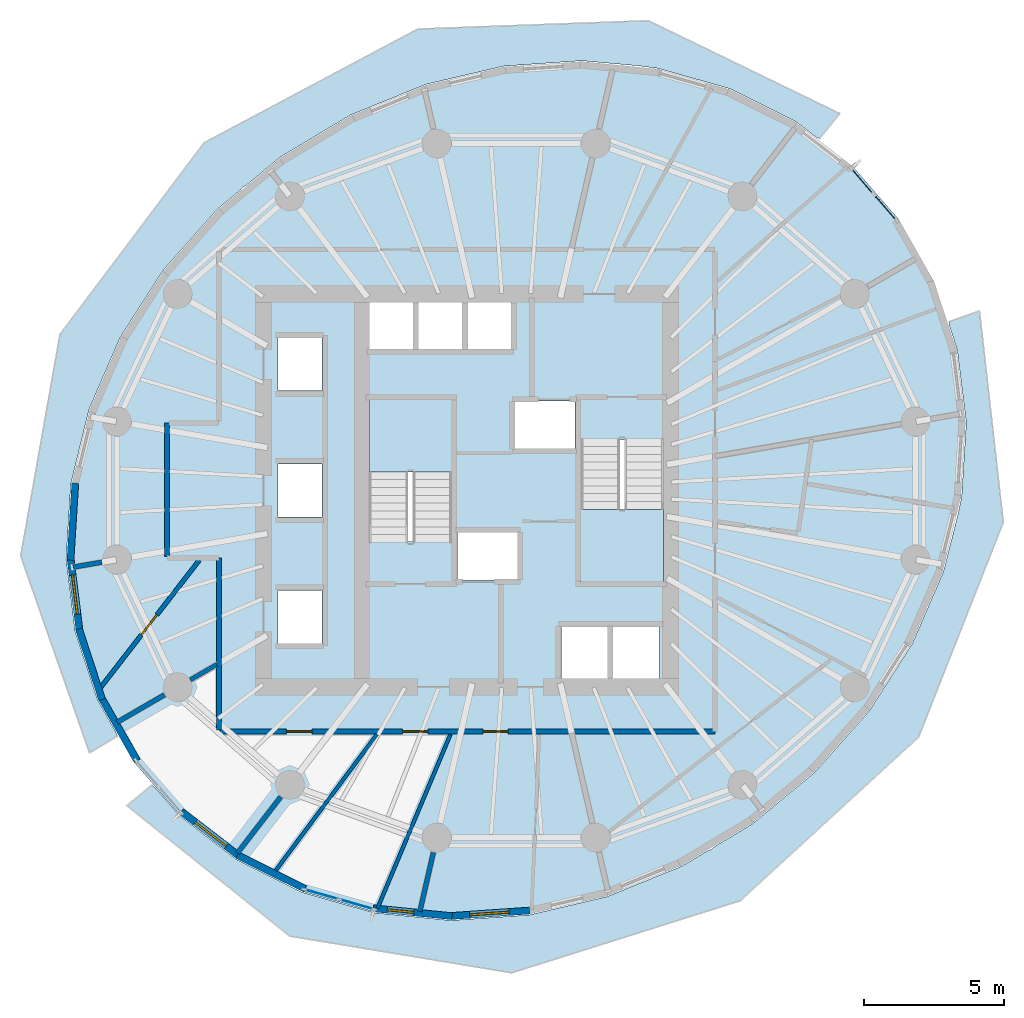
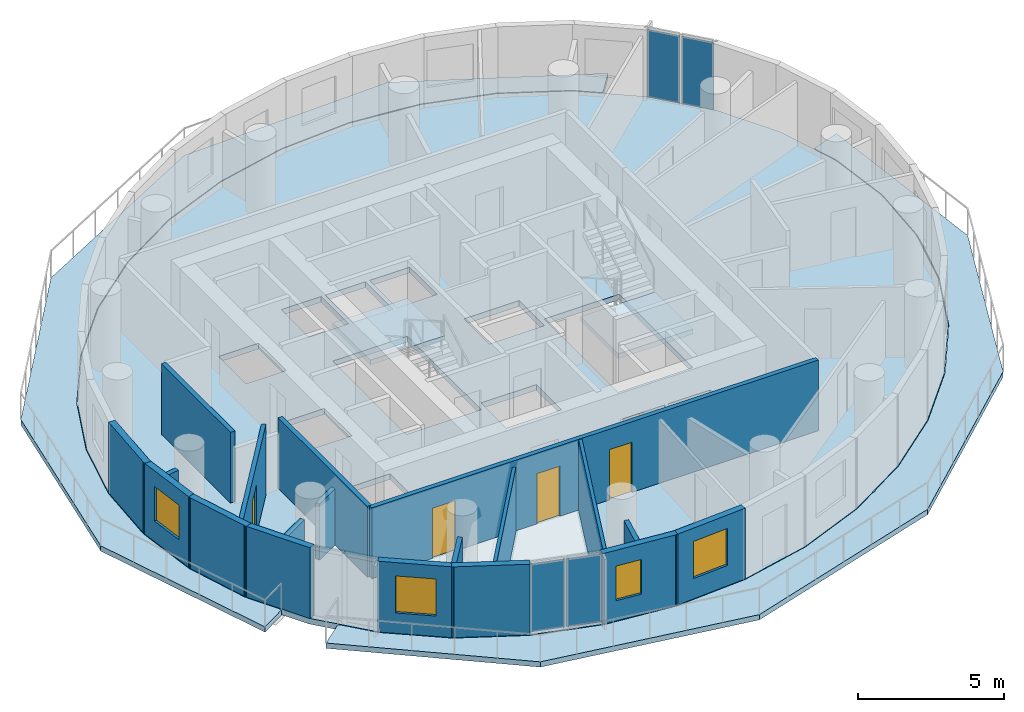
# One storey, part 4 of 12: 19 walls, 5 slabs, 4 doors, 4 plates, 4 windows, 8 openings, 4 elements without a shape of their own.
"""IFC4 building model written with IfcOpenShell, lengths in metres."""

from ifc_helpers import new_model, si_unit, direction, frame, frame_2d, origin, origin_2d, place, context, subcontext, project, spatial, polyline, rectangle, outline, extrude, material, layer, layer_set, type_object, element, fill, aggregate, save


model = new_model("IFC4")

# Units and contexts
model_context = context("Model", 3, precision=1e-05, world=origin(), true_north=direction((0.0, 1.0)))
body_context = subcontext(model_context, "Body", "Model", "MODEL_VIEW")
ifc_project = project(units=[si_unit("LENGTHUNIT", "METRE"), si_unit("AREAUNIT", "SQUARE_METRE"), si_unit("VOLUMEUNIT", "CUBIC_METRE"), si_unit("PLANEANGLEUNIT", "RADIAN"), si_unit("MASSUNIT", "GRAM", prefix="KILO")], contexts=[model_context])

# Site, building, storey
site_placement = place(None, origin())
site = spatial("IfcSite", under=ifc_project, at=site_placement, CompositionType="ELEMENT")
building_placement = place(site_placement, origin())
building = spatial("IfcBuilding", under=site, at=building_placement, Name="Veldorim Arch Residences", CompositionType="ELEMENT")
storey_placement = place(building_placement, frame((0.0, 0.0, 148.9599609375)))
storey = spatial("IfcBuildingStorey", under=building, at=storey_placement, Name="L44", CompositionType="ELEMENT", Elevation=148.9599609375)

# Slabs
ifc_material_1 = material(Name="Concrete C40/50", Category="concrete")
ifc_layer_1 = layer(ifc_material_1, 0.219970703125, Name="Planted Crescent Cantilever Balcony Slab 220")
ifc_layer_set_1 = layer_set([ifc_layer_1], Name="Concrete C40/50")
slab_type_1 = type_object("IfcSlabType", Name="Planted Crescent Cantilever Balcony Slab 220", PredefinedType="FLOOR", material=ifc_layer_set_1)
slab_1_placement = place(storey_placement, frame((0.0, 0.0, -0.219970703125)))
element("IfcSlab", 1, at=slab_1_placement, inside=storey, type_object=slab_type_1, Name="L44 planted crescent balcony slab A", PredefinedType="FLOOR", context=body_context, shape_type="SweptSolid", body=[
    extrude(outline(polyline([(42.681884765625, 36.580078125), (41.955810546875, 37.13916015625), (39.622314453125, 38.30322265625), (37.057373046875, 39.03271484375), (36.361328125, 39.122802734375), (34.339111328125, 39.30517578125), (31.5498046875, 39.11279296875), (28.7744140625, 38.461181640625), (26.09716796875, 37.37060546875), (23.59912109375, 35.873779296875), (22.39599609375, 34.877197265625), (22.2626953125, 34.80419921875), (22.181884765625, 34.699951171875), (21.356201171875, 34.016357421875), (19.436767578125, 31.8544921875), (17.898681640625, 29.454345703125), (16.788818359375, 26.88818359375), (16.14111328125, 24.234130859375), (15.975341796875, 21.572509765625), (16.29638671875, 18.98486328125), (17.094970703125, 16.54931640625), (17.749755859375, 15.393798828125), (17.789306640625, 15.2490234375), (16.80419921875, 14.655517578125), (14.352783203125, 21.66845703125), (15.75146484375, 29.5654296875), (20.880859375, 36.38525390625), (28.492431640625, 40.4365234375), (36.707763671875, 40.733642578125), (43.524169921875, 37.427490234375), (42.803955078125, 36.531005859375), (42.681884765625, 36.580078125)])), origin(), (0.0, 0.0, 1.0), 0.219970703125),
])
slab_2_placement = place(storey_placement, frame((0.0, 0.0, -0.219970703125)))
element("IfcSlab", 2, at=slab_2_placement, inside=storey, type_object=slab_type_1, Name="L44 planted crescent balcony slab B", PredefinedType="FLOOR", context=body_context, shape_type="SweptSolid", body=[
    extrude(outline(polyline([(19.1416015625, 13.426513671875), (20.01318359375, 12.424560546875), (22.044189453125, 10.86083984375), (24.377685546875, 9.69677734375), (26.942626953125, 8.96728515625), (29.660888671875, 8.69482421875), (32.4501953125, 8.88720703125), (35.2255859375, 9.538818359375), (37.90283203125, 10.62939453125), (38.82177734375, 11.18017578125), (38.947509765625, 11.221923828125), (39.06103515625, 11.323486328125), (40.40087890625, 12.126220703125), (42.643798828125, 13.983642578125), (44.563232421875, 16.1455078125), (46.101318359375, 18.545654296875), (47.211181640625, 21.11181640625), (47.712158203125, 23.07958984375), (47.85888671875, 23.765869140625), (48.024658203125, 26.427490234375), (47.70361328125, 29.01513671875), (47.418212890625, 29.8857421875), (47.412353515625, 30.017333984375), (48.49755859375, 30.398193359375), (49.346435546875, 22.8701171875), (46.33203125, 15.22216796875), (39.978515625, 9.392578125), (31.84033203125, 6.82568359375), (23.927978515625, 8.135009765625), (18.130615234375, 12.78076171875), (19.018310546875, 13.511962890625), (19.1416015625, 13.426513671875)])), origin(), (0.0, 0.0, 1.0), 0.219970703125),
])

# Stair, slab
ifc_material_2 = material(Name="Concrete C40/50", Category="concrete")
stair_type = type_object("IfcStairType", Name="Reinforced Concrete Dogleg Exit Staircase", PredefinedType="HALF_TURN_STAIR", material=ifc_material_2)
stair_1_placement = place(storey_placement, origin())
stair_1 = element("IfcStair", 3, at=stair_1_placement, inside=storey, type_object=stair_type, Name="L44 Exit Staircase ST-1", PredefinedType="HALF_TURN_STAIR")
ifc_material_3 = material(Name="Concrete C40/50", Category="concrete")
ifc_layer_2 = layer(ifc_material_3, 0.199951171875, Name="Reinforced Concrete Stair Landing 200")
ifc_layer_set_2 = layer_set([ifc_layer_2], Name="Concrete C40/50")
slab_type_2 = type_object("IfcSlabType", Name="Reinforced Concrete Stair Landing 200", PredefinedType="LANDING", material=ifc_layer_set_2)
slab_3_placement = place(storey_placement, frame((0.0, 0.0, 1.400146484375)))
slab_3 = element("IfcSlab", 4, at=slab_3_placement, type_object=slab_type_2, Name="ST-1 landing 1", PredefinedType="LANDING", context=body_context, shape_type="SweptSolid", body=[
    extrude(outline(polyline([(29.7099609375, 24.669921875), (29.7099609375, 27.25), (26.75, 27.25), (26.75, 24.669921875), (29.7099609375, 24.669921875)])), origin(), (0.0, 0.0, 1.0), 0.199951171875),
])
aggregate(stair_1, [slab_3])

stair_2_placement = place(storey_placement, origin())
stair_2 = element("IfcStair", 5, at=stair_2_placement, inside=storey, type_object=stair_type, Name="L44 Exit Staircase ST-2", PredefinedType="HALF_TURN_STAIR")
slab_4_placement = place(storey_placement, frame((0.0, 0.0, 1.400146484375)))
slab_4 = element("IfcSlab", 6, at=slab_4_placement, type_object=slab_type_2, Name="ST-2 landing 1", PredefinedType="LANDING", context=body_context, shape_type="SweptSolid", body=[
    extrude(outline(polyline([(34.2900390625, 23.330078125), (34.2900390625, 20.75), (37.25, 20.75), (37.25, 23.330078125), (34.2900390625, 23.330078125)])), origin(), (0.0, 0.0, 1.0), 0.199951171875),
])
aggregate(stair_2, [slab_4])

# Slab
ifc_material_4 = material(Name="Concrete C40/50", Category="concrete")
ifc_layer_3 = layer(ifc_material_4, 0.239990234375, Name="Typical Residential Floor Slab 240")
ifc_layer_set_3 = layer_set([ifc_layer_3], Name="Concrete C40/50")
slab_type_3 = type_object("IfcSlabType", Name="Typical Residential Floor Slab 240", PredefinedType="FLOOR", material=ifc_layer_set_3)
slab_5_placement = place(storey_placement, frame((0.0, 0.0, -0.239990234375)))
element("IfcSlab", 7, at=slab_5_placement, inside=storey, type_object=slab_type_3, Name="L44 tower structural floor slab", PredefinedType="FLOOR", context=body_context, shape_type="SweptSolid", body=[
    extrude(outline(polyline([(45.6328125, 33.6455078125), (43.969482421875, 35.55712890625), (41.9423828125, 37.117919921875), (39.61328125, 38.27978515625), (37.052734375, 39.008056640625), (34.338623046875, 39.280029296875), (31.5537109375, 39.087890625), (28.781982421875, 38.4375), (26.1083984375, 37.34814453125), (23.613525390625, 35.853271484375), (21.373779296875, 33.998291015625), (19.456787109375, 31.839599609375), (17.9208984375, 29.4423828125), (16.8125, 26.880126953125), (16.166015625, 24.230224609375), (16.00048828125, 21.573486328125), (16.321044921875, 18.990234375), (17.117919921875, 16.559326171875), (18.3671875, 14.3544921875), (20.030517578125, 12.44287109375), (22.0576171875, 10.882080078125), (24.38671875, 9.72021484375), (26.947265625, 8.991943359375), (29.661376953125, 8.719970703125), (32.4462890625, 8.912109375), (35.218017578125, 9.5625), (37.8916015625, 10.65185546875), (40.386474609375, 12.146728515625), (42.626220703125, 14.001708984375), (44.543212890625, 16.160400390625), (46.0791015625, 18.5576171875), (47.1875, 21.119873046875), (47.833984375, 23.769775390625), (47.99951171875, 26.426513671875), (47.678955078125, 29.009765625), (46.882080078125, 31.440673828125), (45.6328125, 33.6455078125)]), holes=[polyline([(23.510009765625, 18.56005859375), (23.510009765625, 20.43994140625), (25.090087890625, 20.43994140625), (25.090087890625, 18.56005859375), (23.510009765625, 18.56005859375)]), polyline([(23.510009765625, 24.93994140625), (25.090087890625, 24.93994140625), (25.090087890625, 23.06005859375), (23.510009765625, 23.06005859375), (23.510009765625, 24.93994140625)]), polyline([(26.75, 27.25), (29.7099609375, 27.25), (29.7099609375, 22.195068359375), (26.75, 22.195068359375), (26.75, 27.25)]), polyline([(23.510009765625, 27.56005859375), (23.510009765625, 29.43994140625), (25.090087890625, 29.43994140625), (25.090087890625, 27.56005859375), (23.510009765625, 27.56005859375)]), polyline([(26.760009765625, 30.7900390625), (28.340087890625, 30.7900390625), (28.340087890625, 28.909912109375), (26.760009765625, 28.909912109375), (26.760009765625, 30.7900390625)]), polyline([(28.510009765625, 30.7900390625), (30.090087890625, 30.7900390625), (30.090087890625, 28.909912109375), (28.510009765625, 28.909912109375), (28.510009765625, 30.7900390625)]), polyline([(33.610107421875, 17.2099609375), (33.610107421875, 19.2900390625), (35.2900390625, 19.2900390625), (35.2900390625, 17.2099609375), (33.610107421875, 17.2099609375)]), polyline([(35.409912109375, 19.2900390625), (37.090087890625, 19.2900390625), (37.090087890625, 17.2099609375), (35.409912109375, 17.2099609375), (35.409912109375, 19.2900390625)]), polyline([(29.909912109375, 22.544921875), (32.090087890625, 22.544921875), (32.090087890625, 20.81494140625), (29.909912109375, 20.81494140625), (29.909912109375, 22.544921875)]), polyline([(34.2900390625, 20.75), (34.2900390625, 25.804931640625), (37.25, 25.804931640625), (37.25, 20.75), (34.2900390625, 20.75)]), polyline([(31.909912109375, 27.18505859375), (34.090087890625, 27.18505859375), (34.090087890625, 25.455078125), (31.909912109375, 25.455078125), (31.909912109375, 27.18505859375)]), polyline([(30.260009765625, 30.7900390625), (31.840087890625, 30.7900390625), (31.840087890625, 28.909912109375), (30.260009765625, 28.909912109375), (30.260009765625, 30.7900390625)])]), origin(), (0.0, 0.0, 1.0), 0.239990234375),
])

# Curtain wall, plates
ifc_material_5 = material(Name="Aluminium", Category="aluminium")
curtain_wall_type = type_object("IfcCurtainWallType", Name="Zone 3 High-Wind Unitised Curtain Wall", PredefinedType="NOTDEFINED", material=ifc_material_5)
curtain_wall_1_placement = place(storey_placement, origin())
curtain_wall_1 = element("IfcCurtainWall", 8, at=curtain_wall_1_placement, inside=storey, type_object=curtain_wall_type, Name="L44 unitised curtain wall bay 01", PredefinedType="NOTDEFINED")
ifc_material_6 = material(Name="Laminated Low-E Glass", Category="glass")
ifc_layer_4 = layer(ifc_material_6, 0.028076171875, Name="Zone 3 High-Wind Unitised Curtain Wall Glazing Panel 28")
ifc_layer_set_4 = layer_set([ifc_layer_4], Name="Laminated Low-E Glass")
plate_type = type_object("IfcPlateType", Name="Zone 3 High-Wind Unitised Curtain Wall Glazing Panel 28", PredefinedType="CURTAIN_PANEL", material=ifc_layer_set_4)
plate_1_placement = place(storey_placement, frame((44.328857421875, 35.007080078125, 0.06982421875), z_axis=(0.0, 0.0, 1.0), x_axis=(0.65641511641, -0.754399890607, 0.0)))
plate_1 = element("IfcPlate", 9, at=plate_1_placement, type_object=plate_type, Name="CW-Z3 panel 1.1", PredefinedType="CURTAIN_PANEL", context=body_context, shape_type="SweptSolid", body=[
    extrude(rectangle(XDim=1.162109375, YDim=0.028076171875, at=origin_2d()), origin(), (0.0, 0.0, 1.0), 2.820068359375),
])
plate_2_placement = place(storey_placement, frame((45.1376953125, 34.07763671875, 0.06982421875), z_axis=(0.0, 0.0, 1.0), x_axis=(0.65641511641, -0.754399890607, 0.0)))
plate_2 = element("IfcPlate", 10, at=plate_2_placement, type_object=plate_type, Name="CW-Z3 panel 2.1", PredefinedType="CURTAIN_PANEL", context=body_context, shape_type="SweptSolid", body=[
    extrude(rectangle(XDim=1.162109375, YDim=0.028076171875, at=origin_2d()), origin(), (0.0, 0.0, 1.0), 2.820068359375),
])
aggregate(curtain_wall_1, [plate_1, plate_2])

curtain_wall_2_placement = place(storey_placement, origin())
curtain_wall_2 = element("IfcCurtainWall", 11, at=curtain_wall_2_placement, inside=storey, type_object=curtain_wall_type, Name="L44 unitised curtain wall bay 22", PredefinedType="NOTDEFINED")
plate_3_placement = place(storey_placement, frame((26.31494140625, 9.265380859375, 0.06982421875), z_axis=(0.0, 0.0, 1.0), x_axis=(-0.961857777908, 0.273550022991, 0.0)))
plate_3 = element("IfcPlate", 12, at=plate_3_placement, type_object=plate_type, Name="CW-Z3 panel 1.1", PredefinedType="CURTAIN_PANEL", context=body_context, shape_type="SweptSolid", body=[
    extrude(rectangle(XDim=1.22607421875, YDim=0.028076171875, at=origin_2d()), origin(), (0.0, 0.0, 1.0), 2.820068359375),
])
plate_4_placement = place(storey_placement, frame((25.068359375, 9.619873046875, 0.06982421875), z_axis=(0.0, 0.0, 1.0), x_axis=(-0.961857777908, 0.273550022991, 0.0)))
plate_4 = element("IfcPlate", 13, at=plate_4_placement, type_object=plate_type, Name="CW-Z3 panel 2.1", PredefinedType="CURTAIN_PANEL", context=body_context, shape_type="SweptSolid", body=[
    extrude(rectangle(XDim=1.22607421875, YDim=0.028076171875, at=origin_2d()), origin(), (0.0, 0.0, 1.0), 2.820068359375),
])
aggregate(curtain_wall_2, [plate_3, plate_4])

# Walls
ifc_material_7 = material(Name="Acoustic Gypsum Board", Category="gypsum")
ifc_layer_5 = layer(ifc_material_7, 0.125, Name="Acoustic Stud Room Partition Wall 125")
ifc_layer_set_5 = layer_set([ifc_layer_5], Name="Acoustic Gypsum Board")
wall_type_1 = type_object("IfcWallType", Name="Acoustic Stud Room Partition Wall 125", PredefinedType="PARTITIONING", material=ifc_layer_set_5)
wall_1_placement = place(storey_placement, frame((27.05859375, 9.12158203125, 0.0), z_axis=(0.0, 0.0, 1.0), x_axis=(0.386926287161, 0.922110648623, 0.0)))
element("IfcWall", 14, at=wall_1_placement, inside=storey, type_object=wall_type_1, Name="L44 interior wall WL-RES-L44-010", PredefinedType="PARTITIONING", context=body_context, shape_type="SweptSolid", body=[
    extrude(rectangle(XDim=6.71044921875, YDim=0.125, at=frame_2d((3.355224609375, 0.0))), origin(), (0.0, 0.0, 1.0), 2.955078125),
])
wall_2_placement = place(storey_placement, frame((23.369873046875, 10.384033203125, 0.0), z_axis=(0.0, 0.0, 1.0), x_axis=(0.596726995384, 0.802444323913, 0.0)))
element("IfcWall", 15, at=wall_2_placement, inside=storey, type_object=wall_type_1, Name="L44 interior wall WL-RES-L44-012", PredefinedType="PARTITIONING", context=body_context, shape_type="SweptSolid", body=[
    extrude(rectangle(XDim=6.15576171875, YDim=0.125, at=frame_2d((3.077880859375, 0.0))), origin(), (0.0, 0.0, 1.0), 2.692138671875),
])
ifc_material_8 = material(Name="Lightweight Masonry Block & Gypsum", Category="masonry")
ifc_layer_6 = layer(ifc_material_8, 0.179931640625, Name="Compartment & Corridor Fire-Rated Party Wall 180")
ifc_layer_set_6 = layer_set([ifc_layer_6], Name="Lightweight Masonry Block & Gypsum")
wall_type_2 = type_object("IfcWallType", Name="Compartment & Corridor Fire-Rated Party Wall 180", PredefinedType="PARTITIONING", material=ifc_layer_set_6)
wall_3_placement = place(storey_placement, frame((17.24169921875, 21.44921875, 0.0), z_axis=(0.0, 0.0, 1.0), x_axis=(-0.985390767806, -0.170308645474, 0.0)))
element("IfcWall", 16, at=wall_3_placement, inside=storey, type_object=wall_type_2, Name="L44 interior wall WL-PIER-L44-09", PredefinedType="PARTITIONING", context=body_context, shape_type="SweptSolid", body=[
    extrude(rectangle(XDim=1.037841796875, YDim=0.179931640625, at=frame_2d((0.51904296875, 0.0))), origin(), (0.0, 0.0, 1.0), 2.3359375),
])
wall_4_placement = place(storey_placement, frame((19.472412109375, 16.72607421875, 0.0), z_axis=(0.0, 0.0, 1.0), x_axis=(-0.864802971131, -0.502111363268, 0.0)))
element("IfcWall", 17, at=wall_4_placement, inside=storey, type_object=wall_type_2, Name="L44 interior wall WL-PIER-L44-10", PredefinedType="PARTITIONING", context=body_context, shape_type="SweptSolid", body=[
    extrude(rectangle(XDim=1.95068359375, YDim=0.179931640625, at=frame_2d((0.975341796875, 0.0))), origin(), (0.0, 0.0, 1.0), 2.3359375),
])
wall_5_placement = place(storey_placement, frame((23.612060546875, 13.091552734375, 0.0), z_axis=(0.0, 0.0, 1.0), x_axis=(-0.609556175004, -0.792742877303, 0.0)))
element("IfcWall", 18, at=wall_5_placement, inside=storey, type_object=wall_type_2, Name="L44 interior wall WL-PIER-L44-11", PredefinedType="PARTITIONING", context=body_context, shape_type="SweptSolid", body=[
    extrude(rectangle(XDim=2.518798828125, YDim=0.179931640625, at=frame_2d((1.25927734375, 0.0))), origin(), (0.0, 0.0, 1.0), 2.3359375),
])
wall_6_placement = place(storey_placement, frame((29.049560546875, 11.11083984375, 0.0), z_axis=(0.0, 0.0, 1.0), x_axis=(-0.223080127706, -0.974800111111, 0.0)))
element("IfcWall", 19, at=wall_6_placement, inside=storey, type_object=wall_type_2, Name="L44 interior wall WL-PIER-L44-12", PredefinedType="PARTITIONING", context=body_context, shape_type="SweptSolid", body=[
    extrude(rectangle(XDim=2.15478515625, YDim=0.179931640625, at=frame_2d((1.077392578125, 0.0))), origin(), (0.0, 0.0, 1.0), 2.3359375),
])

# Wall, openings, doors
wall_7_placement = place(storey_placement, frame((39.080078125, 15.419921875, 0.0), z_axis=(0.0, 0.0, 1.0), x_axis=(-1.0, 0.0, 0.0)))
wall_7 = element("IfcWall", 20, at=wall_7_placement, inside=storey, type_object=wall_type_2, Name="L44 interior wall WL-RES-L44-001", PredefinedType="PARTITIONING", context=body_context, shape_type="SweptSolid", body=[
    extrude(rectangle(XDim=17.66015625, YDim=0.179931640625, at=frame_2d((8.830078125, 0.0))), origin(), (0.0, 0.0, 1.0), 2.955078125),
])
opening_1_placement = place(wall_7_placement, frame((7.36767578125, 0.0, 0.0)))
opening_1 = element("IfcOpeningElement", 21, at=opening_1_placement, cuts=wall_7, Name="Opening DR-SVC", PredefinedType="OPENING", context=body_context, shape_type="SweptSolid", body=[
    extrude(rectangle(XDim=0.89990234375, YDim=2.10009765625, at=frame_2d((0.449951171875, 1.050048828125))), frame((0.0, 0.099853515625, 0.0), z_axis=(0.0, -1.0, 0.0), x_axis=(1.0, 0.0, 0.0)), (0.0, 0.0, 1.0), 0.199951171875),
])
opening_2_placement = place(wall_7_placement, frame((10.224365234375, 0.0, 0.0)))
opening_2 = element("IfcOpeningElement", 22, at=opening_2_placement, cuts=wall_7, Name="Opening DR-INT", PredefinedType="OPENING", context=body_context, shape_type="SweptSolid", body=[
    extrude(rectangle(XDim=0.89990234375, YDim=2.10009765625, at=frame_2d((0.449951171875, 1.050048828125))), frame((0.0, 0.099853515625, 0.0), z_axis=(0.0, -1.0, 0.0), x_axis=(1.0, 0.0, 0.0)), (0.0, 0.0, 1.0), 0.199951171875),
])
opening_3_placement = place(wall_7_placement, frame((14.3525390625, 0.0, 0.0)))
opening_3 = element("IfcOpeningElement", 23, at=opening_3_placement, cuts=wall_7, Name="Opening DR-INT", PredefinedType="OPENING", context=body_context, shape_type="SweptSolid", body=[
    extrude(rectangle(XDim=0.89990234375, YDim=2.10009765625, at=frame_2d((0.449951171875, 1.050048828125))), frame((0.0, 0.099853515625, 0.0), z_axis=(0.0, -1.0, 0.0), x_axis=(1.0, 0.0, 0.0)), (0.0, 0.0, 1.0), 0.199951171875),
])
ifc_material_9 = material(Name="Engineered Timber", Category="wood")
door_type_1 = type_object("IfcDoorType", Name="Apartment Internal Room Timber Door 900x2100", OperationType="SINGLE_SWING_LEFT", PredefinedType="DOOR", material=ifc_material_9)
door_1_placement = place(opening_2_placement, origin())
door_1 = element("IfcDoor", 24, at=door_1_placement, inside=storey, type_object=door_type_1, Name="L44 interior door DR-RES-L44-002", OperationType="SINGLE_SWING_RIGHT", OverallHeight=2.10009765625, OverallWidth=0.89990234375, PredefinedType="DOOR", context=body_context, shape_type="SweptSolid", body=[
    extrude(rectangle(XDim=0.89990234375, YDim=2.10009765625, at=frame_2d((0.449951171875, 1.050048828125))), frame((0.0, 0.02490234375, 0.0), z_axis=(0.0, -1.0, 0.0), x_axis=(1.0, 0.0, 0.0)), (0.0, 0.0, 1.0), 0.050048828125),
])
fill(opening_2, door_1)
door_2_placement = place(opening_3_placement, origin())
door_2 = element("IfcDoor", 25, at=door_2_placement, inside=storey, type_object=door_type_1, Name="L44 interior door DR-RES-L44-003", OperationType="SINGLE_SWING_LEFT", OverallHeight=2.10009765625, OverallWidth=0.89990234375, PredefinedType="DOOR", context=body_context, shape_type="SweptSolid", body=[
    extrude(rectangle(XDim=0.89990234375, YDim=2.10009765625, at=frame_2d((0.449951171875, 1.050048828125))), frame((0.0, 0.02490234375, 0.0), z_axis=(0.0, -1.0, 0.0), x_axis=(1.0, 0.0, 0.0)), (0.0, 0.0, 1.0), 0.050048828125),
])
fill(opening_3, door_2)
ifc_material_10 = material(Name="Fire-Rated Steel", Category="steel")
door_type_2 = type_object("IfcDoorType", Name="Riser, Shelter & Plant Room Rated Steel Door 900x2100", OperationType="SINGLE_SWING_LEFT", PredefinedType="DOOR", material=ifc_material_10)
door_3_placement = place(opening_1_placement, origin())
door_3 = element("IfcDoor", 26, at=door_3_placement, inside=storey, type_object=door_type_2, Name="L44 interior door DR-RES-L44-001", OperationType="SINGLE_SWING_LEFT", OverallHeight=2.10009765625, OverallWidth=0.89990234375, PredefinedType="DOOR", context=body_context, shape_type="SweptSolid", body=[
    extrude(rectangle(XDim=0.89990234375, YDim=2.10009765625, at=frame_2d((0.449951171875, 1.050048828125))), frame((0.0, 0.02490234375, 0.0), z_axis=(0.0, -1.0, 0.0), x_axis=(1.0, 0.0, 0.0)), (0.0, 0.0, 1.0), 0.050048828125),
])
fill(opening_1, door_3)

# Walls
wall_8_placement = place(storey_placement, frame((21.419921875, 15.47998046875, 0.0), z_axis=(0.0, 0.0, 1.0), x_axis=(0.0, 1.0, 0.0)))
element("IfcWall", 27, at=wall_8_placement, inside=storey, type_object=wall_type_2, Name="L44 interior wall WL-RES-L44-002", PredefinedType="PARTITIONING", context=body_context, shape_type="SweptSolid", body=[
    extrude(rectangle(XDim=6.1201171875, YDim=0.179931640625, at=frame_2d((3.06005859375, 0.0))), origin(), (0.0, 0.0, 1.0), 2.955078125),
])
wall_9_placement = place(storey_placement, frame((19.570068359375, 21.659912109375, 0.0), z_axis=(0.0, 0.0, 1.0), x_axis=(0.0, 1.0, 0.0)))
element("IfcWall", 28, at=wall_9_placement, inside=storey, type_object=wall_type_2, Name="L44 interior wall WL-RES-L44-007", PredefinedType="PARTITIONING", context=body_context, shape_type="SweptSolid", body=[
    extrude(rectangle(XDim=4.739990234375, YDim=0.179931640625, at=frame_2d((2.3701171875, 0.0))), origin(), (0.0, 0.0, 1.0), 2.955078125),
])
ifc_material_11 = material(Name="Precast concrete C40/50", Category="concrete")
ifc_layer_7 = layer(ifc_material_11, 0.25, Name="Tower Terracotta Spandrel & Pier Wall 250")
ifc_layer_set_7 = layer_set([ifc_layer_7], Name="Precast concrete C40/50")
wall_type_3 = type_object("IfcWallType", Name="Tower Terracotta Spandrel & Pier Wall 250", PredefinedType="SOLIDWALL", material=ifc_layer_set_7)
wall_10_placement = place(storey_placement, frame((16.122314453125, 21.520751953125, 0.0), z_axis=(0.0, 0.0, 1.0), x_axis=(0.062278868317, 0.998058787127, 0.0)))
element("IfcWall", 29, at=wall_10_placement, inside=storey, type_object=wall_type_3, Name="L44 terracotta facade wall 15", PredefinedType="SOLIDWALL", context=body_context, shape_type="SweptSolid", body=[
    extrude(rectangle(XDim=2.751953125, YDim=0.25, at=frame_2d((1.3759765625, 0.0))), origin(), (0.0, 0.0, 1.0), 2.9599609375),
])

# Wall, opening, window
wall_11_placement = place(storey_placement, frame((16.45068359375, 18.9609375, 0.0), z_axis=(0.0, 0.0, 1.0), x_axis=(-0.123197890413, 0.992382123881, 0.0)))
wall_11 = element("IfcWall", 30, at=wall_11_placement, inside=storey, type_object=wall_type_3, Name="L44 terracotta facade wall 16", PredefinedType="SOLIDWALL", context=body_context, shape_type="SweptSolid", body=[
    extrude(rectangle(XDim=2.693115234375, YDim=0.25, at=frame_2d((1.3466796875, 0.0))), origin(), (0.0, 0.0, 1.0), 2.9599609375),
])
opening_4_placement = place(wall_11_placement, frame((0.64697265625, 0.0, 0.85009765625)))
opening_4 = element("IfcOpeningElement", 31, at=opening_4_placement, cuts=wall_11, Name="Opening WN-02", PredefinedType="OPENING", context=body_context, shape_type="SweptSolid", body=[
    extrude(rectangle(XDim=1.39990234375, YDim=1.449951171875, at=frame_2d((0.699951171875, 0.72509765625))), frame((0.0, 0.135009765625, 0.0), z_axis=(0.0, -1.0, 0.0), x_axis=(1.0, 0.0, 0.0)), (0.0, 0.0, 1.0), 0.27001953125),
])
ifc_material_12 = material(Name="Laminated Low-E Glass", Category="glass")
window_type_1 = type_object("IfcWindowType", Name="Residential Casement Window 1400x1550", PartitioningType="SINGLE_PANEL", PredefinedType="WINDOW", material=ifc_material_12)
window_1_placement = place(opening_4_placement, origin())
window_1 = element("IfcWindow", 32, at=window_1_placement, inside=storey, type_object=window_type_1, Name="L44 solar-control facade window 16", OverallHeight=1.449951171875, OverallWidth=1.39990234375, PartitioningType="SINGLE_PANEL", PredefinedType="WINDOW", context=body_context, shape_type="SweptSolid", body=[
    extrude(rectangle(XDim=1.39990234375, YDim=1.449951171875, at=frame_2d((0.699951171875, 0.72509765625))), frame((0.0, 0.030029296875, 0.0), z_axis=(0.0, -1.0, 0.0), x_axis=(1.0, 0.0, 0.0)), (0.0, 0.0, 1.0), 0.06005859375),
])
fill(opening_4, window_1)

# Walls
wall_12_placement = place(storey_placement, frame((17.250732421875, 16.5556640625, 0.0), z_axis=(0.0, 0.0, 1.0), x_axis=(-0.311522010952, 0.950238936633, 0.0)))
element("IfcWall", 33, at=wall_12_placement, inside=storey, type_object=wall_type_3, Name="L44 terracotta facade wall 17", PredefinedType="SOLIDWALL", context=body_context, shape_type="SweptSolid", body=[
    extrude(rectangle(XDim=2.648193359375, YDim=0.25, at=frame_2d((1.32421875, 0.0))), origin(), (0.0, 0.0, 1.0), 2.9599609375),
])
wall_13_placement = place(storey_placement, frame((18.498046875, 14.376953125, 0.0), z_axis=(0.0, 0.0, 1.0), x_axis=(-0.492909281161, 0.870080709214, 0.0)))
element("IfcWall", 34, at=wall_13_placement, inside=storey, type_object=wall_type_3, Name="L44 terracotta facade wall 18", PredefinedType="SOLIDWALL", context=body_context, shape_type="SweptSolid", body=[
    extrude(rectangle(XDim=2.6240234375, YDim=0.25, at=frame_2d((1.31201171875, 0.0))), origin(), (0.0, 0.0, 1.0), 2.9599609375),
])

# Wall, opening, window
wall_14_placement = place(storey_placement, frame((22.16943359375, 10.953857421875, 0.0), z_axis=(0.0, 0.0, 1.0), x_axis=(-0.7923805969, 0.610027040103, 0.0)))
wall_14 = element("IfcWall", 35, at=wall_14_placement, inside=storey, type_object=wall_type_3, Name="L44 terracotta facade wall 20", PredefinedType="SOLIDWALL", context=body_context, shape_type="SweptSolid", body=[
    extrude(rectangle(XDim=2.648193359375, YDim=0.25, at=frame_2d((1.32421875, 0.0))), origin(), (0.0, 0.0, 1.0), 2.9599609375),
])
opening_5_placement = place(wall_14_placement, frame((0.6240234375, 0.0, 0.85009765625)))
opening_5 = element("IfcOpeningElement", 36, at=opening_5_placement, cuts=wall_14, Name="Opening WN-02", PredefinedType="OPENING", context=body_context, shape_type="SweptSolid", body=[
    extrude(rectangle(XDim=1.39990234375, YDim=1.550048828125, at=frame_2d((0.699951171875, 0.77490234375))), frame((0.0, 0.135009765625, 0.0), z_axis=(0.0, -1.0, 0.0), x_axis=(1.0, 0.0, 0.0)), (0.0, 0.0, 1.0), 0.27001953125),
])
window_2_placement = place(opening_5_placement, origin())
window_2 = element("IfcWindow", 37, at=window_2_placement, inside=storey, type_object=window_type_1, Name="L44 solar-control facade window 20", OverallHeight=1.550048828125, OverallWidth=1.39990234375, PartitioningType="SINGLE_PANEL", PredefinedType="WINDOW", context=body_context, shape_type="SweptSolid", body=[
    extrude(rectangle(XDim=1.39990234375, YDim=1.550048828125, at=frame_2d((0.699951171875, 0.77490234375))), frame((0.0, 0.030029296875, 0.0), z_axis=(0.0, -1.0, 0.0), x_axis=(1.0, 0.0, 0.0)), (0.0, 0.0, 1.0), 0.06005859375),
])
fill(opening_5, window_2)

# Wall
wall_15_placement = place(storey_placement, frame((24.48291015625, 9.81201171875, 0.0), z_axis=(0.0, 0.0, 1.0), x_axis=(-0.894843809708, 0.446379385979, 0.0)))
element("IfcWall", 38, at=wall_15_placement, inside=storey, type_object=wall_type_3, Name="L44 terracotta facade wall 21", PredefinedType="SOLIDWALL", context=body_context, shape_type="SweptSolid", body=[
    extrude(rectangle(XDim=2.693115234375, YDim=0.25, at=frame_2d((1.3466796875, 0.0))), origin(), (0.0, 0.0, 1.0), 2.9599609375),
])

# Wall, opening, window
wall_16_placement = place(storey_placement, frame((29.718505859375, 8.83984375, 0.0), z_axis=(0.0, 0.0, 1.0), x_axis=(-0.995013999105, 0.099735357744, 0.0)))
wall_16 = element("IfcWall", 39, at=wall_16_placement, inside=storey, type_object=wall_type_3, Name="L44 terracotta facade wall 23", PredefinedType="SOLIDWALL", context=body_context, shape_type="SweptSolid", body=[
    extrude(rectangle(XDim=2.817626953125, YDim=0.25, at=frame_2d((1.40869140625, 0.0))), origin(), (0.0, 0.0, 1.0), 2.9599609375),
])
opening_6_placement = place(wall_16_placement, frame((1.366943359375, 0.0, 0.85009765625)))
opening_6 = element("IfcOpeningElement", 40, at=opening_6_placement, cuts=wall_16, Name="Opening WN-05", PredefinedType="OPENING", context=body_context, shape_type="SweptSolid", body=[
    extrude(rectangle(XDim=0.949951171875, YDim=1.449951171875, at=frame_2d((0.47509765625, 0.72509765625))), frame((0.0, 0.135009765625, 0.0), z_axis=(0.0, -1.0, 0.0), x_axis=(1.0, 0.0, 0.0)), (0.0, 0.0, 1.0), 0.27001953125),
])
ifc_material_13 = material(Name="Laminated Low-E Glass", Category="glass")
window_type_2 = type_object("IfcWindowType", Name="Residential Compact Casement Window 950x1450", PartitioningType="SINGLE_PANEL", PredefinedType="WINDOW", material=ifc_material_13)
window_3_placement = place(opening_6_placement, origin())
window_3 = element("IfcWindow", 41, at=window_3_placement, inside=storey, type_object=window_type_2, Name="L44 solar-control facade window 23", OverallHeight=1.449951171875, OverallWidth=0.949951171875, PartitioningType="SINGLE_PANEL", PredefinedType="WINDOW", context=body_context, shape_type="SweptSolid", body=[
    extrude(rectangle(XDim=0.949951171875, YDim=1.449951171875, at=frame_2d((0.47509765625, 0.72509765625))), frame((0.0, 0.030029296875, 0.0), z_axis=(0.0, -1.0, 0.0), x_axis=(1.0, 0.0, 0.0)), (0.0, 0.0, 1.0), 0.06005859375),
])
fill(opening_6, window_3)

wall_17_placement = place(storey_placement, frame((32.482666015625, 9.039794921875, 0.0), z_axis=(0.0, 0.0, 1.0), x_axis=(-0.997630729469, -0.068796276206, 0.0)))
wall_17 = element("IfcWall", 42, at=wall_17_placement, inside=storey, type_object=wall_type_3, Name="L44 terracotta facade wall 24", PredefinedType="SOLIDWALL", context=body_context, shape_type="SweptSolid", body=[
    extrude(rectangle(XDim=2.881591796875, YDim=0.25, at=frame_2d((1.44091796875, 0.0))), origin(), (0.0, 0.0, 1.0), 2.9599609375),
])
opening_7_placement = place(wall_17_placement, frame((0.740966796875, 0.0, 0.85009765625)))
opening_7 = element("IfcOpeningElement", 43, at=opening_7_placement, cuts=wall_17, Name="Opening WN-02", PredefinedType="OPENING", context=body_context, shape_type="SweptSolid", body=[
    extrude(rectangle(XDim=1.39990234375, YDim=1.550048828125, at=frame_2d((0.699951171875, 0.77490234375))), frame((0.0, 0.135009765625, 0.0), z_axis=(0.0, -1.0, 0.0), x_axis=(1.0, 0.0, 0.0)), (0.0, 0.0, 1.0), 0.27001953125),
])
window_4_placement = place(opening_7_placement, origin())
window_4 = element("IfcWindow", 44, at=window_4_placement, inside=storey, type_object=window_type_1, Name="L44 solar-control facade window 24", OverallHeight=1.550048828125, OverallWidth=1.39990234375, PartitioningType="SINGLE_PANEL", PredefinedType="WINDOW", context=body_context, shape_type="SweptSolid", body=[
    extrude(rectangle(XDim=1.39990234375, YDim=1.550048828125, at=frame_2d((0.699951171875, 0.77490234375))), frame((0.0, 0.030029296875, 0.0), z_axis=(0.0, -1.0, 0.0), x_axis=(1.0, 0.0, 0.0)), (0.0, 0.0, 1.0), 0.06005859375),
])
fill(opening_7, window_4)

# Wall
ifc_material_14 = material(Name="Moisture-Resistant Gypsum & Stud", Category="gypsum")
ifc_layer_8 = layer(ifc_material_14, 0.159912109375, Name="Wet-Area Moisture-Resistant Plumbing Wall 160")
ifc_layer_set_8 = layer_set([ifc_layer_8], Name="Moisture-Resistant Gypsum & Stud")
wall_type_4 = type_object("IfcWallType", Name="Wet-Area Moisture-Resistant Plumbing Wall 160", PredefinedType="PLUMBINGWALL", material=ifc_layer_set_8)
wall_18_placement = place(storey_placement, frame((20.39111328125, 17.259521484375, 0.0), z_axis=(0.0, 0.0, 1.0), x_axis=(0.864719901707, 0.50225440923, 0.0)))
element("IfcWall", 45, at=wall_18_placement, inside=storey, type_object=wall_type_4, Name="L44 interior wall WL-RES-L44-013", PredefinedType="PLUMBINGWALL", context=body_context, shape_type="SweptSolid", body=[
    extrude(rectangle(XDim=1.08984375, YDim=0.159912109375, at=frame_2d((0.544921875, 0.0))), origin(), (0.0, 0.0, 1.0), 2.3359375),
])

# Wall, opening, door
wall_19_placement = place(storey_placement, frame((20.7138671875, 21.52099609375, 0.0), z_axis=(0.0, 0.0, 1.0), x_axis=(-0.612572320399, -0.790414544578, 0.0)))
wall_19 = element("IfcWall", 46, at=wall_19_placement, inside=storey, type_object=wall_type_4, Name="L44 interior wall WL-RES-L44-026", PredefinedType="PLUMBINGWALL", context=body_context, shape_type="SweptSolid", body=[
    extrude(rectangle(XDim=5.822021484375, YDim=0.159912109375, at=frame_2d((2.9111328125, 0.0))), origin(), (0.0, 0.0, 1.0), 2.955078125),
])
opening_8_placement = place(wall_19_placement, frame((2.4609375, 0.0, 0.0)))
opening_8 = element("IfcOpeningElement", 47, at=opening_8_placement, cuts=wall_19, Name="Opening DR-WC", PredefinedType="OPENING", context=body_context, shape_type="SweptSolid", body=[
    extrude(rectangle(XDim=0.89990234375, YDim=2.10009765625, at=frame_2d((0.449951171875, 1.050048828125))), frame((0.0, 0.08984375, 0.0), z_axis=(0.0, -1.0, 0.0), x_axis=(1.0, 0.0, 0.0)), (0.0, 0.0, 1.0), 0.179931640625),
])
ifc_material_15 = material(Name="Laminate Timber", Category="wood")
door_type_3 = type_object("IfcDoorType", Name="Bathroom & Accessible WC Moisture-Sealed Door 900x2100", OperationType="SINGLE_SWING_LEFT", PredefinedType="DOOR", material=ifc_material_15)
door_4_placement = place(opening_8_placement, origin())
door_4 = element("IfcDoor", 48, at=door_4_placement, inside=storey, type_object=door_type_3, Name="L44 interior door DR-RES-L44-016", OperationType="SINGLE_SWING_RIGHT", OverallHeight=2.10009765625, OverallWidth=0.89990234375, PredefinedType="DOOR", context=body_context, shape_type="SweptSolid", body=[
    extrude(rectangle(XDim=0.89990234375, YDim=2.10009765625, at=frame_2d((0.449951171875, 1.050048828125))), frame((0.0, 0.02490234375, 0.0), z_axis=(0.0, -1.0, 0.0), x_axis=(1.0, 0.0, 0.0)), (0.0, 0.0, 1.0), 0.050048828125),
])
fill(opening_8, door_4)

save(model, "model.ifc")
